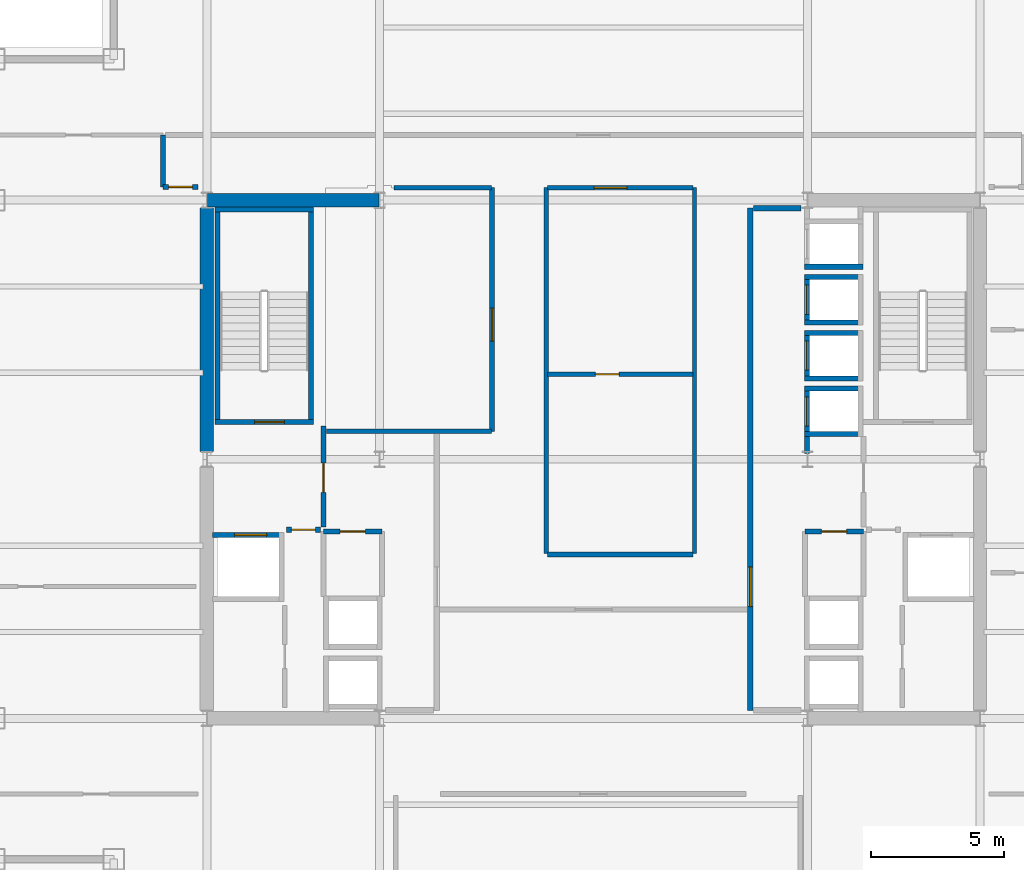
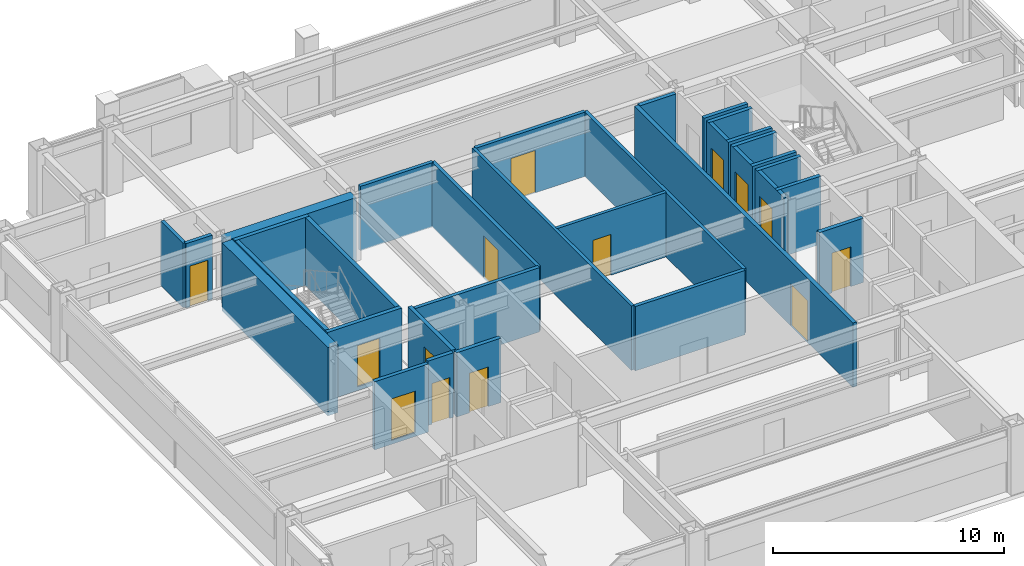
# One storey, part 25 of 29: 33 walls, 14 doors, 14 openings.
"""IFC4 building model written with IfcOpenShell, lengths in metres."""

from ifc_helpers import new_model, si_unit, direction, frame, frame_2d, origin, place, context, subcontext, project, spatial, rectangle, extrude, material, layer, layer_set, type_object, element, fill, save


model = new_model("IFC4")

# Units and contexts
model_context = context("Model", 3, precision=1e-05, world=origin(), true_north=direction((0.0, 1.0)))
body_context = subcontext(model_context, "Body", "Model", "MODEL_VIEW")
ifc_project = project(units=[si_unit("LENGTHUNIT", "METRE"), si_unit("AREAUNIT", "SQUARE_METRE"), si_unit("VOLUMEUNIT", "CUBIC_METRE"), si_unit("PLANEANGLEUNIT", "RADIAN"), si_unit("MASSUNIT", "GRAM", prefix="KILO")], contexts=[model_context])

# Site, building, storey
site_placement = place(None, origin())
site = spatial("IfcSite", under=ifc_project, at=site_placement, CompositionType="ELEMENT")
building_placement = place(site_placement, origin())
building = spatial("IfcBuilding", under=site, at=building_placement, Name="Brelmoor Portico Tower", CompositionType="ELEMENT")
storey_placement = place(building_placement, frame((0.0, 0.0, 124.199951171875)))
storey = spatial("IfcBuildingStorey", under=building, at=storey_placement, Name="L32", CompositionType="ELEMENT", Elevation=124.199951171875)

# Walls
ifc_material_1 = material(Name="Concrete C60", Category="concrete")
ifc_layer_1 = layer(ifc_material_1, 0.5)
ifc_layer_set_1 = layer_set([ifc_layer_1], Name="Concrete C60")
wall_type_1 = type_object("IfcWallType", Name="WL-CORE-500", PredefinedType="SHEAR", material=ifc_layer_set_1)
wall_1_placement = place(storey_placement, frame((-14.530029296875, 9.75, -0.199951171875), z_axis=(0.0, 0.0, 1.0), x_axis=(1.0, 0.0, 0.0)))
element("IfcWall", 1, at=wall_1_placement, inside=storey, type_object=wall_type_1, Name="L32 WC North Shear Wall", PredefinedType="SHEAR", context=body_context, shape_type="SweptSolid", body=[
    extrude(rectangle(XDim=6.4599609375, YDim=0.5, at=frame_2d((3.22998046875, 0.0))), origin(), (0.0, 0.0, 1.0), 3.60009765625),
])
wall_2_placement = place(storey_placement, frame((-14.550048828125, 0.300048828125, -0.199951171875), z_axis=(0.0, 0.0, 1.0), x_axis=(0.0, 1.0, 0.0)))
element("IfcWall", 2, at=wall_2_placement, inside=storey, type_object=wall_type_1, Name="L32 WC Outer North Shear Wall", PredefinedType="SHEAR", context=body_context, shape_type="SweptSolid", body=[
    extrude(rectangle(XDim=9.14990234375, YDim=0.5, at=frame_2d((4.574951171875, 0.0))), origin(), (0.0, 0.0, 1.0), 3.60009765625),
])
ifc_material_2 = material(Name="Twin-Frame Acoustic Partition", Category="gypsum")
ifc_layer_2 = layer(ifc_material_2, 0.159912109375)
ifc_layer_set_2 = layer_set([ifc_layer_2], Name="Twin-Frame Acoustic Partition")
wall_type_2 = type_object("IfcWallType", Name="WL-PART-160", PredefinedType="PARTITIONING", material=ifc_layer_set_2)
for number, where, z_axis, x_axis, name in (
    (3, (-1.780029296875, -3.550048828125, 0.0), (0.0, 0.0, 1.0), (0.0, 1.0, 0.0), "L32 Central Studio West Wall"),
    (4, (3.800048828125, -3.550048828125, 0.0), (0.0, 0.0, 1.0), (0.0, 1.0, 0.0), "L32 Central Studio East Wall"),
):
    element("IfcWall", number, at=place(storey_placement, frame(where, z_axis=z_axis, x_axis=x_axis)), inside=storey, type_object=wall_type_2, Name=name, PredefinedType="PARTITIONING", context=body_context, shape_type="SweptSolid", body=[
        extrude(rectangle(XDim=13.77001953125, YDim=0.159912109375, at=frame_2d((6.885009765625, 0.0))), origin(), (0.0, 0.0, 1.0), 3.400146484375),
    ])

# Wall, opening, door
wall_3_placement = place(storey_placement, frame((-1.72998046875, 3.199951171875, 0.0), z_axis=(0.0, 0.0, 1.0), x_axis=(1.0, 0.0, 0.0)))
wall_3 = element("IfcWall", 5, at=wall_3_placement, inside=storey, type_object=wall_type_2, Name="L32 Central Pantry Divider", PredefinedType="PARTITIONING", context=body_context, shape_type="SweptSolid", body=[
    extrude(rectangle(XDim=5.47998046875, YDim=0.159912109375, at=frame_2d((2.739990234375, 0.0))), origin(), (0.0, 0.0, 1.0), 3.400146484375),
])
opening_1_placement = place(wall_3_placement, frame((1.800048828125, 0.0, 0.0)))
opening_1 = element("IfcOpeningElement", 6, at=opening_1_placement, cuts=wall_3, Name="Opening D-IN1", PredefinedType="OPENING", context=body_context, shape_type="SweptSolid", body=[
    extrude(rectangle(XDim=0.89990234375, YDim=2.14990234375, at=frame_2d((0.449951171875, 1.074951171875))), frame((0.0, 0.08984375, 0.0), z_axis=(0.0, -1.0, 0.0), x_axis=(1.0, 0.0, 0.0)), (0.0, 0.0, 1.0), 0.179931640625),
])
ifc_material_3 = material(Name="Lacquered Timber Suite Door", Category="wood")
door_type_1 = type_object("IfcDoorType", Name="DR-INT-900", OperationType="NOTDEFINED", PredefinedType="DOOR", material=ifc_material_3)
door_1_placement = place(opening_1_placement, origin())
door_1 = element("IfcDoor", 7, at=door_1_placement, inside=storey, type_object=door_type_1, Name="D-1397 L32 Central Pantry Connecting Door", OperationType="SINGLE_SWING_LEFT", OverallHeight=2.14990234375, OverallWidth=0.89990234375, PredefinedType="DOOR", context=body_context, shape_type="SweptSolid", body=[
    extrude(rectangle(XDim=0.89990234375, YDim=2.14990234375, at=frame_2d((0.449951171875, 1.074951171875))), frame((0.0, 0.02490234375, 0.0), z_axis=(0.0, -1.0, 0.0), x_axis=(1.0, 0.0, 0.0)), (0.0, 0.0, 1.0), 0.050048828125),
])
fill(opening_1, door_1)

# Wall
ifc_material_4 = material(Name="Acoustic Corridor Fire Partition", Category="gypsum")
ifc_layer_3 = layer(ifc_material_4, 0.179931640625)
ifc_layer_set_3 = layer_set([ifc_layer_3], Name="Acoustic Corridor Fire Partition")
wall_type_3 = type_object("IfcWallType", Name="WL-PART-180", PredefinedType="PARTITIONING", material=ifc_layer_set_3)
wall_4_placement = place(storey_placement, frame((-10.050048828125, 1.050048828125, 0.0), z_axis=(0.0, 0.0, 1.0), x_axis=(1.0, 0.0, 0.0)))
element("IfcWall", 8, at=wall_4_placement, inside=storey, type_object=wall_type_3, Name="L32 Reclaimed West Suite South Wall", PredefinedType="PARTITIONING", context=body_context, shape_type="SweptSolid", body=[
    extrude(rectangle(XDim=6.2099609375, YDim=0.179931640625, at=frame_2d((3.10498046875, 0.0))), origin(), (0.0, 0.0, 1.0), 3.400146484375),
])

# Wall, opening, door
wall_5_placement = place(storey_placement, frame((-3.820068359375, 1.050048828125, 0.0), z_axis=(0.0, 0.0, 1.0), x_axis=(0.0, 1.0, 0.0)))
wall_5 = element("IfcWall", 9, at=wall_5_placement, inside=storey, type_object=wall_type_3, Name="L32 Reclaimed West Suite East Wall", PredefinedType="PARTITIONING", context=body_context, shape_type="SweptSolid", body=[
    extrude(rectangle(XDim=9.169921875, YDim=0.179931640625, at=frame_2d((4.5849609375, 0.0))), origin(), (0.0, 0.0, 1.0), 3.400146484375),
])
opening_2_placement = place(wall_5_placement, frame((3.39990234375, 0.0, 0.0)))
opening_2 = element("IfcOpeningElement", 10, at=opening_2_placement, cuts=wall_5, Name="Opening D-SU1", PredefinedType="OPENING", context=body_context, shape_type="SweptSolid", body=[
    extrude(rectangle(XDim=1.239990234375, YDim=2.239990234375, at=frame_2d((0.6201171875, 1.1201171875))), frame((0.0, 0.099853515625, 0.0), z_axis=(0.0, -1.0, 0.0), x_axis=(1.0, 0.0, 0.0)), (0.0, 0.0, 1.0), 0.199951171875),
])
ifc_material_5 = material(Name="Glazed Timber Executive Suite Door", Category="wood")
door_type_2 = type_object("IfcDoorType", Name="DR-SUITE-1200", OperationType="NOTDEFINED", PredefinedType="DOOR", material=ifc_material_5)
door_2_placement = place(opening_2_placement, origin())
door_2 = element("IfcDoor", 11, at=door_2_placement, inside=storey, type_object=door_type_2, Name="D-1412 L32 West Reclaimed Collaboration Office Door", OperationType="SINGLE_SWING_RIGHT", OverallHeight=2.239990234375, OverallWidth=1.239990234375, PredefinedType="DOOR", context=body_context, shape_type="SweptSolid", body=[
    extrude(rectangle(XDim=1.239990234375, YDim=2.239990234375, at=frame_2d((0.6201171875, 1.1201171875))), frame((0.0, 0.02490234375, 0.0), z_axis=(0.0, -1.0, 0.0), x_axis=(1.0, 0.0, 0.0)), (0.0, 0.0, 1.0), 0.050048828125),
])
fill(opening_2, door_2)

# Walls
wall_6_placement = place(storey_placement, frame((-7.5, 10.219970703125, 0.0), z_axis=(0.0, 0.0, 1.0), x_axis=(1.0, 0.0, 0.0)))
element("IfcWall", 12, at=wall_6_placement, inside=storey, type_object=wall_type_3, Name="L32 Reclaimed West Suite North Wall", PredefinedType="PARTITIONING", context=body_context, shape_type="SweptSolid", body=[
    extrude(rectangle(XDim=3.659912109375, YDim=0.179931640625, at=frame_2d((1.830078125, 0.0))), origin(), (0.0, 0.0, 1.0), 3.400146484375),
])
wall_7_placement = place(storey_placement, frame((-1.72998046875, -3.580078125, 0.0), z_axis=(0.0, 0.0, 1.0), x_axis=(1.0, 0.0, 0.0)))
element("IfcWall", 13, at=wall_7_placement, inside=storey, type_object=wall_type_3, Name="L32 Central Studio South Wall", PredefinedType="PARTITIONING", context=body_context, shape_type="SweptSolid", body=[
    extrude(rectangle(XDim=5.47998046875, YDim=0.179931640625, at=frame_2d((2.739990234375, 0.0))), origin(), (0.0, 0.0, 1.0), 3.400146484375),
])

# Wall, opening, door
wall_8_placement = place(storey_placement, frame((-1.72998046875, 10.219970703125, 0.0), z_axis=(0.0, 0.0, 1.0), x_axis=(1.0, 0.0, 0.0)))
wall_8 = element("IfcWall", 14, at=wall_8_placement, inside=storey, type_object=wall_type_3, Name="L32 Central Meeting North Wall", PredefinedType="PARTITIONING", context=body_context, shape_type="SweptSolid", body=[
    extrude(rectangle(XDim=5.47998046875, YDim=0.179931640625, at=frame_2d((2.739990234375, 0.0))), origin(), (0.0, 0.0, 1.0), 3.400146484375),
])
opening_3_placement = place(wall_8_placement, frame((1.75, 0.0, 0.0)))
opening_3 = element("IfcOpeningElement", 15, at=opening_3_placement, cuts=wall_8, Name="Opening D-SU1", PredefinedType="OPENING", context=body_context, shape_type="SweptSolid", body=[
    extrude(rectangle(XDim=1.239990234375, YDim=2.239990234375, at=frame_2d((0.6201171875, 1.1201171875))), frame((0.0, 0.099853515625, 0.0), z_axis=(0.0, -1.0, 0.0), x_axis=(1.0, 0.0, 0.0)), (0.0, 0.0, 1.0), 0.199951171875),
])
door_3_placement = place(opening_3_placement, origin())
door_3 = element("IfcDoor", 16, at=door_3_placement, inside=storey, type_object=door_type_2, Name="D-1398 L32 Client Meeting Room Door", OperationType="SINGLE_SWING_RIGHT", OverallHeight=2.239990234375, OverallWidth=1.239990234375, PredefinedType="DOOR", context=body_context, shape_type="SweptSolid", body=[
    extrude(rectangle(XDim=1.239990234375, YDim=2.239990234375, at=frame_2d((0.6201171875, 1.1201171875))), frame((0.0, 0.02490234375, 0.0), z_axis=(0.0, -1.0, 0.0), x_axis=(1.0, 0.0, 0.0)), (0.0, 0.0, 1.0), 0.050048828125),
])
fill(opening_3, door_3)

wall_9_placement = place(storey_placement, frame((-16.199951171875, 10.25, 0.0), z_axis=(0.0, 0.0, 1.0), x_axis=(1.0, 0.0, 0.0)))
wall_9 = element("IfcWall", 17, at=wall_9_placement, inside=storey, type_object=wall_type_3, Name="L32 W Wing North Entry Wall", PredefinedType="PARTITIONING", context=body_context, shape_type="SweptSolid", body=[
    extrude(rectangle(XDim=1.320068359375, YDim=0.179931640625, at=frame_2d((0.66015625, 0.0))), origin(), (0.0, 0.0, 1.0), 3.400146484375),
])
opening_4_placement = place(wall_9_placement, frame((0.2099609375, 0.0, 0.0)))
opening_4 = element("IfcOpeningElement", 18, at=opening_4_placement, cuts=wall_9, Name="Opening D-IN1", PredefinedType="OPENING", context=body_context, shape_type="SweptSolid", body=[
    extrude(rectangle(XDim=0.89990234375, YDim=2.14990234375, at=frame_2d((0.449951171875, 1.074951171875))), frame((0.0, 0.099853515625, 0.0), z_axis=(0.0, -1.0, 0.0), x_axis=(1.0, 0.0, 0.0)), (0.0, 0.0, 1.0), 0.199951171875),
])
door_4_placement = place(opening_4_placement, origin())
door_4 = element("IfcDoor", 19, at=door_4_placement, inside=storey, type_object=door_type_1, Name="D-1425 L32 W Wing Entry Door", OperationType="SINGLE_SWING_LEFT", OverallHeight=2.14990234375, OverallWidth=0.89990234375, PredefinedType="DOOR", context=body_context, shape_type="SweptSolid", body=[
    extrude(rectangle(XDim=0.89990234375, YDim=2.14990234375, at=frame_2d((0.449951171875, 1.074951171875))), frame((0.0, 0.02490234375, 0.0), z_axis=(0.0, -1.0, 0.0), x_axis=(1.0, 0.0, 0.0)), (0.0, 0.0, 1.0), 0.050048828125),
])
fill(opening_4, door_4)

# Wall
wall_10_placement = place(storey_placement, frame((-16.199951171875, 10.25, 0.0), z_axis=(0.0, 0.0, 1.0), x_axis=(0.0, 1.0, 0.0)))
element("IfcWall", 20, at=wall_10_placement, inside=storey, type_object=wall_type_3, Name="L32 W Corridor End Closure", PredefinedType="PARTITIONING", context=body_context, shape_type="SweptSolid", body=[
    extrude(rectangle(XDim=1.949951171875, YDim=0.179931640625, at=frame_2d((0.97509765625, 0.0))), origin(), (0.0, 0.0, 1.0), 3.400146484375),
])

# Wall, opening, door
ifc_material_6 = material(Name="Double-Stud Gypsum Fire Partition", Category="gypsum")
ifc_layer_4 = layer(ifc_material_6, 0.199951171875)
ifc_layer_set_4 = layer_set([ifc_layer_4], Name="Double-Stud Gypsum Fire Partition")
wall_type_4 = type_object("IfcWallType", Name="WL-PART-200", PredefinedType="PARTITIONING", material=ifc_layer_set_4)
wall_11_placement = place(storey_placement, frame((-10.159912109375, -2.550048828125, 0.0), z_axis=(0.0, 0.0, 1.0), x_axis=(0.0, 1.0, 0.0)))
wall_11 = element("IfcWall", 21, at=wall_11_placement, inside=storey, type_object=wall_type_4, Name="L32 W Firefighting Lobby Wall", PredefinedType="PARTITIONING", context=body_context, shape_type="SweptSolid", body=[
    extrude(rectangle(XDim=3.800048828125, YDim=0.199951171875, at=frame_2d((1.89990234375, 0.0))), origin(), (0.0, 0.0, 1.0), 3.400146484375),
])
opening_5_placement = place(wall_11_placement, frame((1.300048828125, 0.0, 0.0)))
opening_5 = element("IfcOpeningElement", 22, at=opening_5_placement, cuts=wall_11, Name="Opening D-FR1", PredefinedType="OPENING", context=body_context, shape_type="SweptSolid", body=[
    extrude(rectangle(XDim=1.10009765625, YDim=2.14990234375, at=frame_2d((0.550048828125, 1.074951171875))), frame((0.0, 0.10986328125, 0.0), z_axis=(0.0, -1.0, 0.0), x_axis=(1.0, 0.0, 0.0)), (0.0, 0.0, 1.0), 0.219970703125),
])
ifc_material_7 = material(Name="Painted Galvanised Steel Fire Door", Category="steel")
door_type_3 = type_object("IfcDoorType", Name="DR-FIRE-1100", OperationType="NOTDEFINED", PredefinedType="DOOR", material=ifc_material_7)
door_5_placement = place(opening_5_placement, origin())
door_5 = element("IfcDoor", 23, at=door_5_placement, inside=storey, type_object=door_type_3, Name="D-1406 L32 W Firefighting Lobby Door", OperationType="SINGLE_SWING_RIGHT", OverallHeight=2.14990234375, OverallWidth=1.10009765625, PredefinedType="DOOR", context=body_context, shape_type="SweptSolid", body=[
    extrude(rectangle(XDim=1.10009765625, YDim=2.14990234375, at=frame_2d((0.550048828125, 1.074951171875))), frame((0.0, 0.02490234375, 0.0), z_axis=(0.0, -1.0, 0.0), x_axis=(1.0, 0.0, 0.0)), (0.0, 0.0, 1.0), 0.050048828125),
])
fill(opening_5, door_5)

wall_12_placement = place(storey_placement, frame((-10.280029296875, -2.64990234375, 0.0), z_axis=(0.0, 0.0, 1.0), x_axis=(-1.0, 0.0, 0.0)))
wall_12 = element("IfcWall", 24, at=wall_12_placement, inside=storey, type_object=wall_type_4, Name="L32 W Firefighting Lobby South Wall", PredefinedType="PARTITIONING", context=body_context, shape_type="SweptSolid", body=[
    extrude(rectangle(XDim=1.27001953125, YDim=0.199951171875, at=frame_2d((0.635009765625, 0.0))), origin(), (0.0, 0.0, 1.0), 3.400146484375),
])
opening_6_placement = place(wall_12_placement, frame((0.18505859375, 0.0, 0.0)))
opening_6 = element("IfcOpeningElement", 25, at=opening_6_placement, cuts=wall_12, Name="Opening D-IN1", PredefinedType="OPENING", context=body_context, shape_type="SweptSolid", body=[
    extrude(rectangle(XDim=0.89990234375, YDim=2.14990234375, at=frame_2d((0.449951171875, 1.074951171875))), frame((0.0, 0.10986328125, 0.0), z_axis=(0.0, -1.0, 0.0), x_axis=(1.0, 0.0, 0.0)), (0.0, 0.0, 1.0), 0.219970703125),
])
door_6_placement = place(opening_6_placement, origin())
door_6 = element("IfcDoor", 26, at=door_6_placement, inside=storey, type_object=door_type_1, Name="D-1401 L32 W Core Service Vestibule Door", OperationType="SINGLE_SWING_LEFT", OverallHeight=2.14990234375, OverallWidth=0.89990234375, PredefinedType="DOOR", context=body_context, shape_type="SweptSolid", body=[
    extrude(rectangle(XDim=0.89990234375, YDim=2.14990234375, at=frame_2d((0.449951171875, 1.074951171875))), frame((0.0, 0.02490234375, 0.0), z_axis=(0.0, -1.0, 0.0), x_axis=(1.0, 0.0, 0.0)), (0.0, 0.0, 1.0), 0.050048828125),
])
fill(opening_6, door_6)

wall_13_placement = place(storey_placement, frame((-7.9599609375, -2.719970703125, 0.0), z_axis=(0.0, 0.0, 1.0), x_axis=(-1.0, 0.0, 0.0)))
wall_13 = element("IfcWall", 27, at=wall_13_placement, inside=storey, type_object=wall_type_4, Name="L32 W Electrical Switchgear Closet Wall", PredefinedType="PARTITIONING", context=body_context, shape_type="SweptSolid", body=[
    extrude(rectangle(XDim=2.199951171875, YDim=0.199951171875, at=frame_2d((1.10009765625, 0.0))), origin(), (0.0, 0.0, 1.0), 3.400146484375),
])
opening_7_placement = place(wall_13_placement, frame((0.6201171875, 0.0, 0.0)))
opening_7 = element("IfcOpeningElement", 28, at=opening_7_placement, cuts=wall_13, Name="Opening D-FR4", PredefinedType="OPENING", context=body_context, shape_type="SweptSolid", body=[
    extrude(rectangle(XDim=0.949951171875, YDim=2.10009765625, at=frame_2d((0.47509765625, 1.050048828125))), frame((0.0, 0.10986328125, 0.0), z_axis=(0.0, -1.0, 0.0), x_axis=(1.0, 0.0, 0.0)), (0.0, 0.0, 1.0), 0.219970703125),
])
ifc_material_8 = material(Name="Painted Galvanised Steel Riser Door", Category="steel")
door_type_4 = type_object("IfcDoorType", Name="DR-FIRE-950", OperationType="NOTDEFINED", PredefinedType="DOOR", material=ifc_material_8)
door_7_placement = place(opening_7_placement, origin())
door_7 = element("IfcDoor", 29, at=door_7_placement, inside=storey, type_object=door_type_4, Name="D-1404 L32 W Electrical Switchgear Closet Door", OperationType="SINGLE_SWING_RIGHT", OverallHeight=2.10009765625, OverallWidth=0.949951171875, PredefinedType="DOOR", context=body_context, shape_type="SweptSolid", body=[
    extrude(rectangle(XDim=0.949951171875, YDim=2.10009765625, at=frame_2d((0.47509765625, 1.050048828125))), frame((0.0, 0.02490234375, 0.0), z_axis=(0.0, -1.0, 0.0), x_axis=(1.0, 0.0, 0.0)), (0.0, 0.0, 1.0), 0.050048828125),
])
fill(opening_7, door_7)

wall_14_placement = place(storey_placement, frame((5.89990234375, -9.449951171875, 0.0), z_axis=(0.0, 0.0, 1.0), x_axis=(0.0, 1.0, 0.0)))
wall_14 = element("IfcWall", 30, at=wall_14_placement, inside=storey, type_object=wall_type_4, Name="L32 E Core Lobby Compartment Wall", PredefinedType="PARTITIONING", context=body_context, shape_type="SweptSolid", body=[
    extrude(rectangle(XDim=18.89990234375, YDim=0.199951171875, at=frame_2d((9.449951171875, 0.0))), origin(), (0.0, 0.0, 1.0), 3.400146484375),
])
opening_8_placement = place(wall_14_placement, frame((3.89990234375, 0.0, 0.0)))
opening_8 = element("IfcOpeningElement", 31, at=opening_8_placement, cuts=wall_14, Name="Opening D-LB1", PredefinedType="OPENING", context=body_context, shape_type="SweptSolid", body=[
    extrude(rectangle(XDim=1.5, YDim=2.199951171875, at=frame_2d((0.75, 1.10009765625))), frame((0.0, 0.10986328125, 0.0), z_axis=(0.0, -1.0, 0.0), x_axis=(1.0, 0.0, 0.0)), (0.0, 0.0, 1.0), 0.219970703125),
])
ifc_material_9 = material(Name="Double-Leaf Glazed Steel Fire Door", Category="steel")
door_type_5 = type_object("IfcDoorType", Name="DR-LOBBY-1500", OperationType="NOTDEFINED", PredefinedType="DOOR", material=ifc_material_9)
door_8_placement = place(opening_8_placement, origin())
door_8 = element("IfcDoor", 32, at=door_8_placement, inside=storey, type_object=door_type_5, Name="D-1407 L32 E Lift Lobby Main Door", OperationType="DOUBLE_DOOR_SINGLE_SWING", OverallHeight=2.199951171875, OverallWidth=1.5, PredefinedType="DOOR", context=body_context, shape_type="SweptSolid", body=[
    extrude(rectangle(XDim=1.5, YDim=2.199951171875, at=frame_2d((0.75, 1.10009765625))), frame((0.0, 0.02490234375, 0.0), z_axis=(0.0, -1.0, 0.0), x_axis=(1.0, 0.0, 0.0)), (0.0, 0.0, 1.0), 0.050048828125),
])
fill(opening_8, door_8)

# Wall
wall_15_placement = place(storey_placement, frame((6.02001953125, 9.449951171875, 0.0), z_axis=(0.0, 0.0, 1.0), x_axis=(1.0, 0.0, 0.0)))
element("IfcWall", 33, at=wall_15_placement, inside=storey, type_object=wall_type_4, Name="L32 E Lift Lobby North End Wall", PredefinedType="PARTITIONING", context=body_context, shape_type="SweptSolid", body=[
    extrude(rectangle(XDim=1.800048828125, YDim=0.199951171875, at=frame_2d((0.89990234375, 0.0))), origin(), (0.0, 0.0, 1.0), 3.400146484375),
])

# Wall, opening, door
wall_16_placement = place(storey_placement, frame((7.9599609375, -2.719970703125, 0.0), z_axis=(0.0, 0.0, 1.0), x_axis=(1.0, 0.0, 0.0)))
wall_16 = element("IfcWall", 34, at=wall_16_placement, inside=storey, type_object=wall_type_4, Name="L32 E Electrical Switchgear Closet Wall", PredefinedType="PARTITIONING", context=body_context, shape_type="SweptSolid", body=[
    extrude(rectangle(XDim=2.199951171875, YDim=0.199951171875, at=frame_2d((1.10009765625, 0.0))), origin(), (0.0, 0.0, 1.0), 3.400146484375),
])
opening_9_placement = place(wall_16_placement, frame((0.6201171875, 0.0, 0.0)))
opening_9 = element("IfcOpeningElement", 35, at=opening_9_placement, cuts=wall_16, Name="Opening D-FR4", PredefinedType="OPENING", context=body_context, shape_type="SweptSolid", body=[
    extrude(rectangle(XDim=0.949951171875, YDim=2.10009765625, at=frame_2d((0.47509765625, 1.050048828125))), frame((0.0, 0.10986328125, 0.0), z_axis=(0.0, -1.0, 0.0), x_axis=(1.0, 0.0, 0.0)), (0.0, 0.0, 1.0), 0.219970703125),
])
door_9_placement = place(opening_9_placement, origin())
door_9 = element("IfcDoor", 36, at=door_9_placement, inside=storey, type_object=door_type_4, Name="D-1403 L32 E Electrical Switchgear Closet Door", OperationType="SINGLE_SWING_RIGHT", OverallHeight=2.10009765625, OverallWidth=0.949951171875, PredefinedType="DOOR", context=body_context, shape_type="SweptSolid", body=[
    extrude(rectangle(XDim=0.949951171875, YDim=2.10009765625, at=frame_2d((0.47509765625, 1.050048828125))), frame((0.0, 0.02490234375, 0.0), z_axis=(0.0, -1.0, 0.0), x_axis=(1.0, 0.0, 0.0)), (0.0, 0.0, 1.0), 0.050048828125),
])
fill(opening_9, door_9)

ifc_material_10 = material(Name="Precast Concrete C40", Category="concrete")
ifc_layer_5 = layer(ifc_material_10, 0.18994140625)
ifc_layer_set_5 = layer_set([ifc_layer_5], Name="Precast Concrete C40")
wall_type_5 = type_object("IfcWallType", Name="WL-SHAFT-180", PredefinedType="SOLIDWALL", material=ifc_layer_set_5)
wall_17_placement = place(storey_placement, frame((8.044921875, 0.2099609375, -0.199951171875), z_axis=(0.0, 0.0, 1.0), x_axis=(0.0, 1.0, 0.0)))
wall_17 = element("IfcWall", 37, at=wall_17_placement, inside=storey, type_object=wall_type_5, Name="L32 Lift PM1 Hoistway Front Wall", PredefinedType="SOLIDWALL", context=body_context, shape_type="SweptSolid", body=[
    extrude(rectangle(XDim=2.5400390625, YDim=0.18994140625, at=frame_2d((1.27001953125, 0.0))), origin(), (0.0, 0.0, 1.0), 3.60009765625),
])
opening_10_placement = place(wall_17_placement, frame((1.0400390625, 0.0, 0.199951171875)))
opening_10 = element("IfcOpeningElement", 38, at=opening_10_placement, cuts=wall_17, Name="Opening LD-01", PredefinedType="OPENING", context=body_context, shape_type="SweptSolid", body=[
    extrude(rectangle(XDim=1.10009765625, YDim=2.199951171875, at=frame_2d((0.550048828125, 1.10009765625))), frame((0.0, 0.10498046875, 0.0), z_axis=(0.0, -1.0, 0.0), x_axis=(1.0, 0.0, 0.0)), (0.0, 0.0, 1.0), 0.2099609375),
])
ifc_material_11 = material(Name="Brushed Stainless Steel Sliding Lift Door", Category="steel")
door_type_6 = type_object("IfcDoorType", Name="DR-LIFT-1100", OperationType="NOTDEFINED", PredefinedType="DOOR", material=ifc_material_11)
door_10_placement = place(opening_10_placement, origin())
door_10 = element("IfcDoor", 39, at=door_10_placement, inside=storey, type_object=door_type_6, Name="D-1429 L32 Lift PM1 Sliding Landing Door", OperationType="SLIDING_TO_LEFT", OverallHeight=2.199951171875, OverallWidth=1.10009765625, PredefinedType="DOOR", context=body_context, shape_type="SweptSolid", body=[
    extrude(rectangle(XDim=1.10009765625, YDim=2.199951171875, at=frame_2d((0.550048828125, 1.10009765625))), frame((0.0, 0.02490234375, 0.0), z_axis=(0.0, -1.0, 0.0), x_axis=(1.0, 0.0, 0.0)), (0.0, 0.0, 1.0), 0.050048828125),
])
fill(opening_10, door_10)

# Walls
for number, where, z_axis, x_axis, name in (
    (40, (7.949951171875, 2.655029296875, -0.199951171875), (0.0, 0.0, 1.0), (1.0, 0.0, 0.0), "L32 Lift PM1 Hoistway North Wall"),
    (41, (7.949951171875, 0.945068359375, -0.199951171875), (0.0, 0.0, 1.0), (1.0, 0.0, 0.0), "L32 Lift PM1 Hoistway South Wall"),
):
    element("IfcWall", number, at=place(storey_placement, frame(where, z_axis=z_axis, x_axis=x_axis)), inside=storey, type_object=wall_type_5, Name=name, PredefinedType="SOLIDWALL", context=body_context, shape_type="SweptSolid", body=[
        extrude(rectangle(XDim=2.199951171875, YDim=0.18994140625, at=frame_2d((1.10009765625, 0.0))), origin(), (0.0, 0.0, 1.0), 3.60009765625),
    ])

# Wall, opening, door
wall_18_placement = place(storey_placement, frame((8.044921875, 2.949951171875, -0.199951171875), z_axis=(0.0, 0.0, 1.0), x_axis=(0.0, 1.0, 0.0)))
wall_18 = element("IfcWall", 42, at=wall_18_placement, inside=storey, type_object=wall_type_5, Name="L32 Lift PM2 Hoistway Front Wall", PredefinedType="SOLIDWALL", context=body_context, shape_type="SweptSolid", body=[
    extrude(rectangle(XDim=1.900146484375, YDim=0.18994140625, at=frame_2d((0.9501953125, 0.0))), origin(), (0.0, 0.0, 1.0), 3.60009765625),
])
opening_11_placement = place(wall_18_placement, frame((0.39990234375, 0.0, 0.199951171875)))
opening_11 = element("IfcOpeningElement", 43, at=opening_11_placement, cuts=wall_18, Name="Opening LD-01", PredefinedType="OPENING", context=body_context, shape_type="SweptSolid", body=[
    extrude(rectangle(XDim=1.10009765625, YDim=2.199951171875, at=frame_2d((0.550048828125, 1.10009765625))), frame((0.0, 0.10498046875, 0.0), z_axis=(0.0, -1.0, 0.0), x_axis=(1.0, 0.0, 0.0)), (0.0, 0.0, 1.0), 0.2099609375),
])
door_11_placement = place(opening_11_placement, origin())
door_11 = element("IfcDoor", 44, at=door_11_placement, inside=storey, type_object=door_type_6, Name="D-1430 L32 Lift PM2 Sliding Landing Door", OperationType="SLIDING_TO_LEFT", OverallHeight=2.199951171875, OverallWidth=1.10009765625, PredefinedType="DOOR", context=body_context, shape_type="SweptSolid", body=[
    extrude(rectangle(XDim=1.10009765625, YDim=2.199951171875, at=frame_2d((0.550048828125, 1.10009765625))), frame((0.0, 0.02490234375, 0.0), z_axis=(0.0, -1.0, 0.0), x_axis=(1.0, 0.0, 0.0)), (0.0, 0.0, 1.0), 0.050048828125),
])
fill(opening_11, door_11)

# Walls
for number, where, z_axis, x_axis, name in (
    (45, (7.949951171875, 4.7548828125, -0.199951171875), (0.0, 0.0, 1.0), (1.0, 0.0, 0.0), "L32 Lift PM2 Hoistway North Wall"),
    (46, (7.949951171875, 3.044921875, -0.199951171875), (0.0, 0.0, 1.0), (1.0, 0.0, 0.0), "L32 Lift PM2 Hoistway South Wall"),
):
    element("IfcWall", number, at=place(storey_placement, frame(where, z_axis=z_axis, x_axis=x_axis)), inside=storey, type_object=wall_type_5, Name=name, PredefinedType="SOLIDWALL", context=body_context, shape_type="SweptSolid", body=[
        extrude(rectangle(XDim=2.199951171875, YDim=0.18994140625, at=frame_2d((1.10009765625, 0.0))), origin(), (0.0, 0.0, 1.0), 3.60009765625),
    ])

# Wall, opening, door
wall_19_placement = place(storey_placement, frame((8.044921875, 5.050048828125, -0.199951171875), z_axis=(0.0, 0.0, 1.0), x_axis=(0.0, 1.0, 0.0)))
wall_19 = element("IfcWall", 47, at=wall_19_placement, inside=storey, type_object=wall_type_5, Name="L32 Lift PM3 Hoistway Front Wall", PredefinedType="SOLIDWALL", context=body_context, shape_type="SweptSolid", body=[
    extrude(rectangle(XDim=1.89990234375, YDim=0.18994140625, at=frame_2d((0.949951171875, 0.0))), origin(), (0.0, 0.0, 1.0), 3.60009765625),
])
opening_12_placement = place(wall_19_placement, frame((0.39990234375, 0.0, 0.199951171875)))
opening_12 = element("IfcOpeningElement", 48, at=opening_12_placement, cuts=wall_19, Name="Opening LD-01", PredefinedType="OPENING", context=body_context, shape_type="SweptSolid", body=[
    extrude(rectangle(XDim=1.10009765625, YDim=2.199951171875, at=frame_2d((0.550048828125, 1.10009765625))), frame((0.0, 0.10498046875, 0.0), z_axis=(0.0, -1.0, 0.0), x_axis=(1.0, 0.0, 0.0)), (0.0, 0.0, 1.0), 0.2099609375),
])
door_12_placement = place(opening_12_placement, origin())
door_12 = element("IfcDoor", 49, at=door_12_placement, inside=storey, type_object=door_type_6, Name="D-1431 L32 Lift PM3 Sliding Landing Door", OperationType="SLIDING_TO_LEFT", OverallHeight=2.199951171875, OverallWidth=1.10009765625, PredefinedType="DOOR", context=body_context, shape_type="SweptSolid", body=[
    extrude(rectangle(XDim=1.10009765625, YDim=2.199951171875, at=frame_2d((0.550048828125, 1.10009765625))), frame((0.0, 0.02490234375, 0.0), z_axis=(0.0, -1.0, 0.0), x_axis=(1.0, 0.0, 0.0)), (0.0, 0.0, 1.0), 0.050048828125),
])
fill(opening_12, door_12)

# Walls
for number, where, z_axis, x_axis, name in (
    (50, (7.949951171875, 6.85498046875, -0.199951171875), (0.0, 0.0, 1.0), (1.0, 0.0, 0.0), "L32 Lift PM3 Hoistway North Wall"),
    (51, (7.949951171875, 5.14501953125, -0.199951171875), (0.0, 0.0, 1.0), (1.0, 0.0, 0.0), "L32 Lift PM3 Hoistway South Wall"),
    (52, (7.949951171875, 7.2451171875, -0.199951171875), (0.0, 0.0, 1.0), (1.0, 0.0, 0.0), "L32 Lift PM4 Hoistway South Wall"),
):
    element("IfcWall", number, at=place(storey_placement, frame(where, z_axis=z_axis, x_axis=x_axis)), inside=storey, type_object=wall_type_5, Name=name, PredefinedType="SOLIDWALL", context=body_context, shape_type="SweptSolid", body=[
        extrude(rectangle(XDim=2.199951171875, YDim=0.18994140625, at=frame_2d((1.10009765625, 0.0))), origin(), (0.0, 0.0, 1.0), 3.60009765625),
    ])

# Wall, opening, door
wall_20_placement = place(storey_placement, frame((-14.330078125, -2.844970703125, -0.199951171875), z_axis=(0.0, 0.0, 1.0), x_axis=(1.0, 0.0, 0.0)))
wall_20 = element("IfcWall", 53, at=wall_20_placement, inside=storey, type_object=wall_type_5, Name="L32 Lift FF1 Hoistway Front Wall", PredefinedType="SOLIDWALL", context=body_context, shape_type="SweptSolid", body=[
    extrude(rectangle(XDim=2.68017578125, YDim=0.18994140625, at=frame_2d((1.340087890625, 0.0))), origin(), (0.0, 0.0, 1.0), 3.60009765625),
])
opening_13_placement = place(wall_20_placement, frame((0.830078125, 0.0, 0.199951171875)))
opening_13 = element("IfcOpeningElement", 54, at=opening_13_placement, cuts=wall_20, Name="Opening LD-02", PredefinedType="OPENING", context=body_context, shape_type="SweptSolid", body=[
    extrude(rectangle(XDim=1.199951171875, YDim=2.199951171875, at=frame_2d((0.60009765625, 1.10009765625))), frame((0.0, 0.10498046875, 0.0), z_axis=(0.0, -1.0, 0.0), x_axis=(1.0, 0.0, 0.0)), (0.0, 0.0, 1.0), 0.2099609375),
])
ifc_material_12 = material(Name="Brushed Stainless Steel Firefighting Lift Door", Category="steel")
door_type_7 = type_object("IfcDoorType", Name="DR-LIFT-1200", OperationType="NOTDEFINED", PredefinedType="DOOR", material=ifc_material_12)
door_13_placement = place(opening_13_placement, origin())
door_13 = element("IfcDoor", 55, at=door_13_placement, inside=storey, type_object=door_type_7, Name="D-1427 L32 Lift FF1 Sliding Landing Door", OperationType="SLIDING_TO_LEFT", OverallHeight=2.199951171875, OverallWidth=1.199951171875, PredefinedType="DOOR", context=body_context, shape_type="SweptSolid", body=[
    extrude(rectangle(XDim=1.199951171875, YDim=2.199951171875, at=frame_2d((0.60009765625, 1.10009765625))), frame((0.0, 0.02490234375, 0.0), z_axis=(0.0, -1.0, 0.0), x_axis=(1.0, 0.0, 0.0)), (0.0, 0.0, 1.0), 0.050048828125),
])
fill(opening_13, door_13)

# Wall
ifc_material_13 = material(Name="Concrete C40", Category="concrete")
ifc_layer_6 = layer(ifc_material_13, 0.199951171875)
ifc_layer_set_6 = layer_set([ifc_layer_6], Name="Concrete C40")
wall_type_6 = type_object("IfcWallType", Name="WL-SHAFT-RC200", PredefinedType="SOLIDWALL", material=ifc_layer_set_6)
wall_21_placement = place(storey_placement, frame((-14.14990234375, 1.5, -0.199951171875), z_axis=(0.0, 0.0, 1.0), x_axis=(0.0, 1.0, 0.0)))
element("IfcWall", 56, at=wall_21_placement, inside=storey, type_object=wall_type_6, Name="L32 ST-W Structural Stair Wall Outer", PredefinedType="SOLIDWALL", context=body_context, shape_type="SweptSolid", body=[
    extrude(rectangle(XDim=7.800048828125, YDim=0.199951171875, at=frame_2d((3.89990234375, 0.0))), origin(), (0.0, 0.0, 1.0), 3.60009765625),
])

# Wall, opening, door
wall_22_placement = place(storey_placement, frame((-14.25, 1.39990234375, -0.199951171875), z_axis=(0.0, 0.0, 1.0), x_axis=(1.0, 0.0, 0.0)))
wall_22 = element("IfcWall", 57, at=wall_22_placement, inside=storey, type_object=wall_type_6, Name="L32 ST-W Structural Stair Wall S", PredefinedType="SOLIDWALL", context=body_context, shape_type="SweptSolid", body=[
    extrude(rectangle(XDim=3.719970703125, YDim=0.199951171875, at=frame_2d((1.85986328125, 0.0))), origin(), (0.0, 0.0, 1.0), 3.60009765625),
])
opening_14_placement = place(wall_22_placement, frame((1.5, 0.0, 0.199951171875)))
opening_14 = element("IfcOpeningElement", 58, at=opening_14_placement, cuts=wall_22, Name="Opening D-ST1", PredefinedType="OPENING", context=body_context, shape_type="SweptSolid", body=[
    extrude(rectangle(XDim=1.1201171875, YDim=2.179931640625, at=frame_2d((0.56005859375, 1.08984375))), frame((0.0, 0.10986328125, 0.0), z_axis=(0.0, -1.0, 0.0), x_axis=(1.0, 0.0, 0.0)), (0.0, 0.0, 1.0), 0.219970703125),
])
door_type_8 = type_object("IfcDoorType", Name="DR-STAIR-1100", OperationType="NOTDEFINED", PredefinedType="DOOR", material=ifc_material_7)
door_14_placement = place(opening_14_placement, origin())
door_14 = element("IfcDoor", 59, at=door_14_placement, inside=storey, type_object=door_type_8, Name="D-1417 L32 ST-W Protected Exit Stair Door", OperationType="SINGLE_SWING_LEFT", OverallHeight=2.179931640625, OverallWidth=1.1201171875, PredefinedType="DOOR", context=body_context, shape_type="SweptSolid", body=[
    extrude(rectangle(XDim=1.1201171875, YDim=2.179931640625, at=frame_2d((0.56005859375, 1.08984375))), frame((0.0, 0.02490234375, 0.0), z_axis=(0.0, -1.0, 0.0), x_axis=(1.0, 0.0, 0.0)), (0.0, 0.0, 1.0), 0.050048828125),
])
fill(opening_14, door_14)

# Walls
wall_23_placement = place(storey_placement, frame((-14.25, 9.39990234375, -0.199951171875), z_axis=(0.0, 0.0, 1.0), x_axis=(1.0, 0.0, 0.0)))
element("IfcWall", 60, at=wall_23_placement, inside=storey, type_object=wall_type_6, Name="L32 ST-W Structural Stair Wall N", PredefinedType="SOLIDWALL", context=body_context, shape_type="SweptSolid", body=[
    extrude(rectangle(XDim=3.719970703125, YDim=0.199951171875, at=frame_2d((1.85986328125, 0.0))), origin(), (0.0, 0.0, 1.0), 3.60009765625),
])
wall_24_placement = place(storey_placement, frame((-10.6298828125, 1.5, -0.199951171875), z_axis=(0.0, 0.0, 1.0), x_axis=(0.0, 1.0, 0.0)))
element("IfcWall", 61, at=wall_24_placement, inside=storey, type_object=wall_type_6, Name="L32 ST-W Structural Stair Wall Inner", PredefinedType="SOLIDWALL", context=body_context, shape_type="SweptSolid", body=[
    extrude(rectangle(XDim=7.800048828125, YDim=0.199951171875, at=frame_2d((3.89990234375, 0.0))), origin(), (0.0, 0.0, 1.0), 3.60009765625),
])

save(model, "model.ifc")
